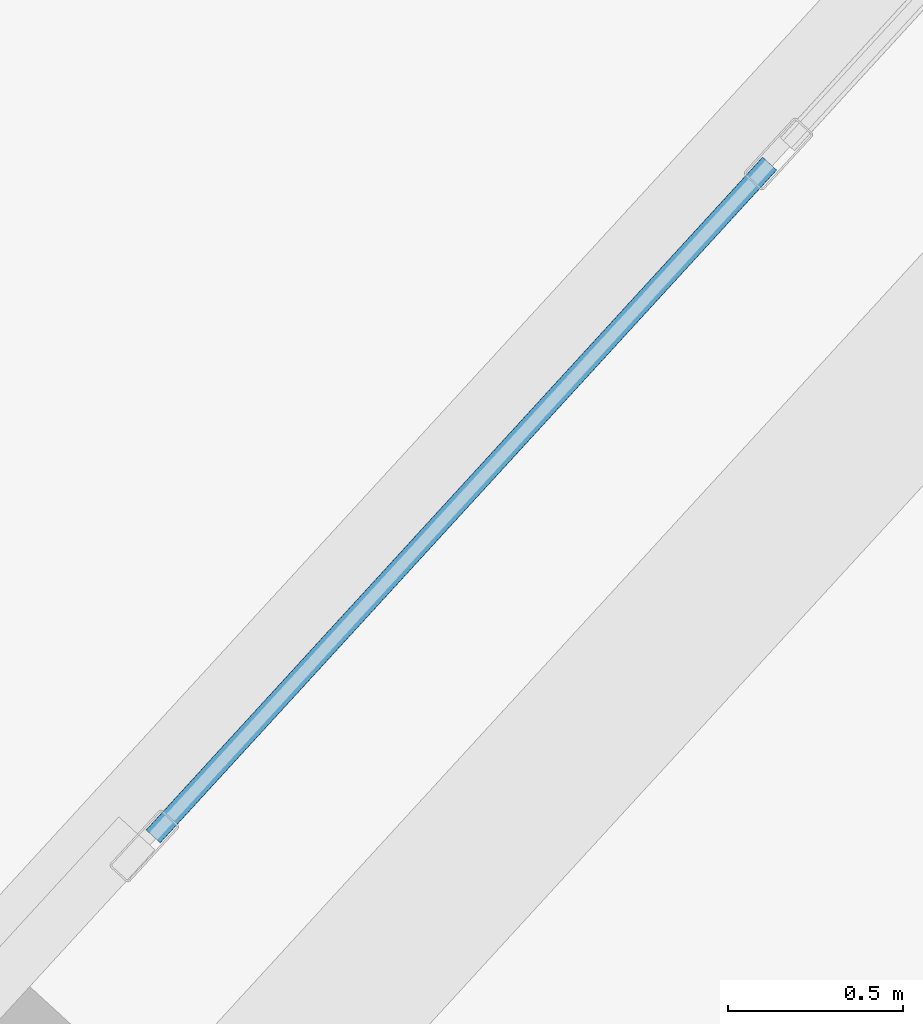
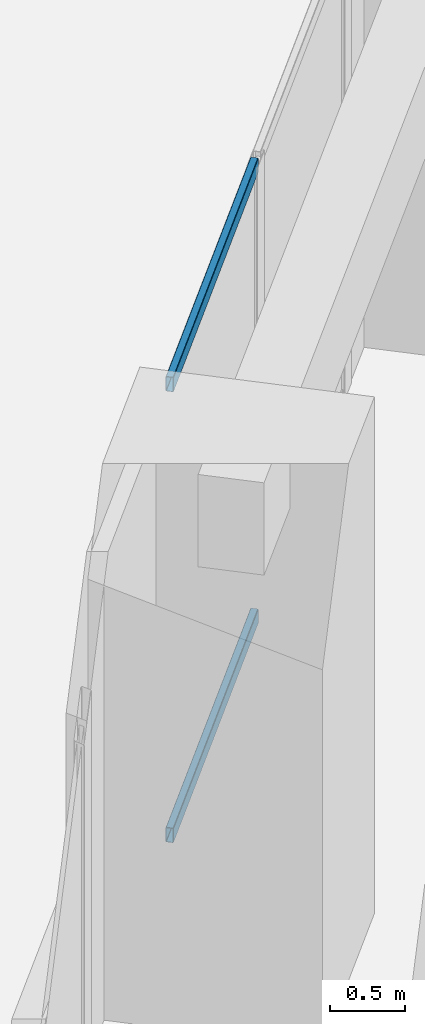
# One storey, part 5 of 19: 2 members, 1 element without a shape of its own.
"""IFC4 building model written with IfcOpenShell, lengths in metres."""

from ifc_helpers import new_model, si_unit, direction, frame, origin, origin_2d, place, context, subcontext, project, spatial, hollow_rectangle, extrude, source, transform, mapped, material, material_profile, profile_set, type_object, element, aggregate, save


model = new_model("IFC4")

# Units and contexts
model_context = context("Model", 3, precision=1e-05, world=origin(), true_north=direction((0.0, 1.0)))
body_context = subcontext(model_context, "Body", "Model", "MODEL_VIEW")
ifc_project = project(units=[si_unit("LENGTHUNIT", "METRE"), si_unit("AREAUNIT", "SQUARE_METRE"), si_unit("VOLUMEUNIT", "CUBIC_METRE"), si_unit("PLANEANGLEUNIT", "RADIAN"), si_unit("MASSUNIT", "GRAM", prefix="KILO")], contexts=[model_context])

# Site, building, storey
site_placement = place(None, origin())
site = spatial("IfcSite", under=ifc_project, at=site_placement, CompositionType="ELEMENT")
building_placement = place(site_placement, origin())
building = spatial("IfcBuilding", under=site, at=building_placement, Name="Torre Montelarca", CompositionType="ELEMENT")
storey_placement = place(building_placement, frame((0.0, 0.0, 229.0)))
storey = spatial("IfcBuildingStorey", under=building, at=storey_placement, Name="L51", CompositionType="ELEMENT", Elevation=229.0)

# Curtain wall, members
ifc_material_1 = material(Name="Insulated low-E laminated glass", Category="glass")
curtain_wall_type = type_object("IfcCurtainWallType", Name="CW-SYS-Z3", PredefinedType="USERDEFINED", material=ifc_material_1)
curtain_wall_placement = place(storey_placement, origin())
curtain_wall = element("IfcCurtainWall", 1, at=curtain_wall_placement, inside=storey, type_object=curtain_wall_type, Name="L51 Curtain Wall Run CW-T3-L51-E10-B2", ObjectType="UNITISED GLAZING", PredefinedType="USERDEFINED")
ifc_material_2 = material(Name="Anodised aluminium AA 6063-T6", Category="aluminium")
ifc_material_profile = material_profile(ifc_material_2, hollow_rectangle(XDim=0.054931640625, YDim=0.1201171875, WallThickness=0.00341796875, InnerFilletRadius=0.00341796875, OuterFilletRadius=0.007080078125, at=origin_2d()), Name="ALU55X120X3.5", Category="aluminium")
ifc_profile_set = profile_set([ifc_material_profile], Name="Anodised aluminium AA 6063-T6")
member_type = type_object("IfcMemberType", Name="CWT-ALU120", PredefinedType="USERDEFINED", material=ifc_profile_set)
shared_shape = source(origin(), body_context, "Body", "SweptSolid", [
    extrude(hollow_rectangle(XDim=0.054931640625, YDim=0.1201171875, WallThickness=0.00341796875, InnerFilletRadius=0.00341796875, OuterFilletRadius=0.007080078125, at=origin_2d()), origin(), (0.0, 0.0, 1.0), 2.607421875),
])
member_1_placement = place(storey_placement, frame((5.818359375, 40.893310546875, 0.027587890625), z_axis=(-0.675580452191, -0.737286275891, 0.0), x_axis=(0.737286275891, -0.675580452191, 0.0)))
member_1 = element("IfcMember", 2, at=member_1_placement, type_object=member_type, Name="CW transom 2.1", ObjectType="TRANSOM", PredefinedType="USERDEFINED", context=body_context, shape_type="MappedRepresentation", body=[
    mapped(shared_shape, transform((0.0, 0.0, 0.0), scale=1.0)),
])
member_2_placement = place(storey_placement, frame((5.818359375, 40.893310546875, 3.6923828125), z_axis=(-0.675580452191, -0.737286275891, 0.0), x_axis=(0.737286275891, -0.675580452191, 0.0)))
member_2 = element("IfcMember", 3, at=member_2_placement, type_object=member_type, Name="CW transom 2.2", ObjectType="TRANSOM", PredefinedType="USERDEFINED", context=body_context, shape_type="MappedRepresentation", body=[
    mapped(shared_shape, transform((0.0, 0.0, 0.0), scale=1.0)),
])
aggregate(curtain_wall, [member_1, member_2])

save(model, "model.ifc")
